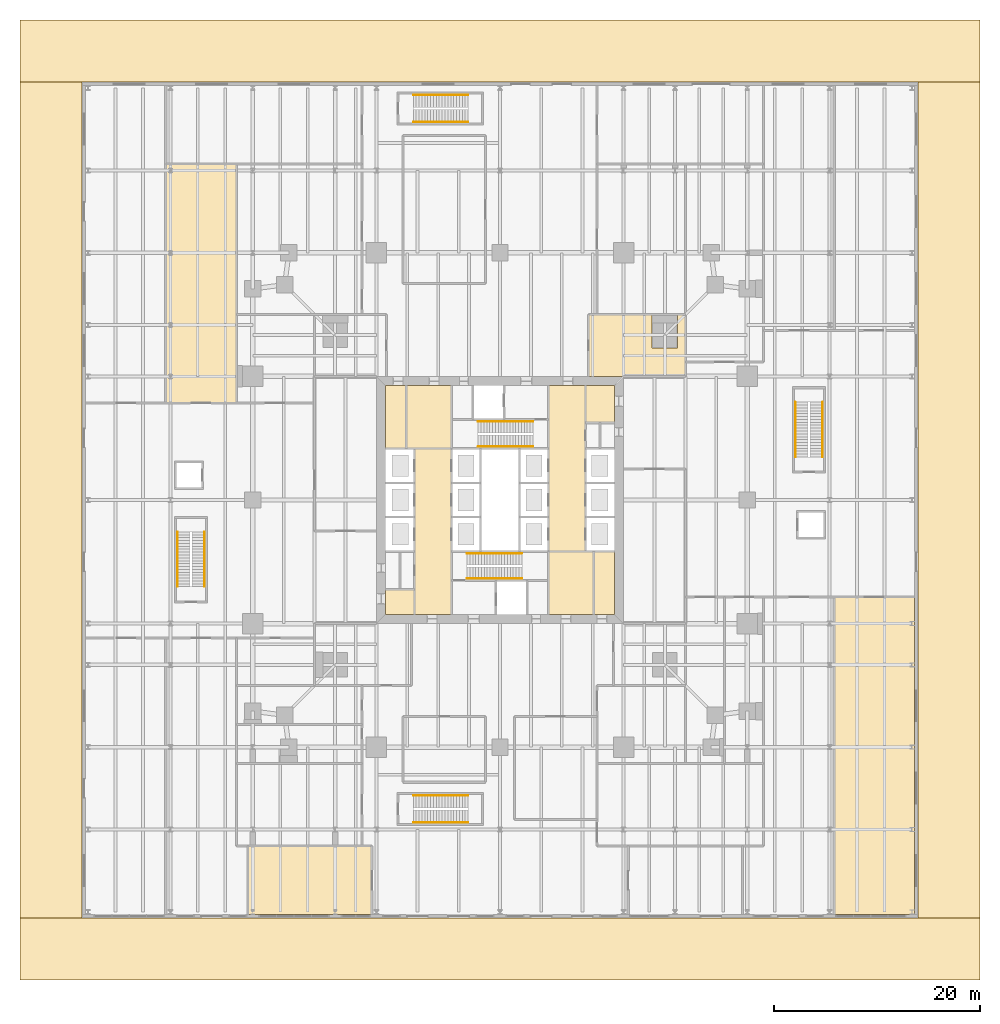
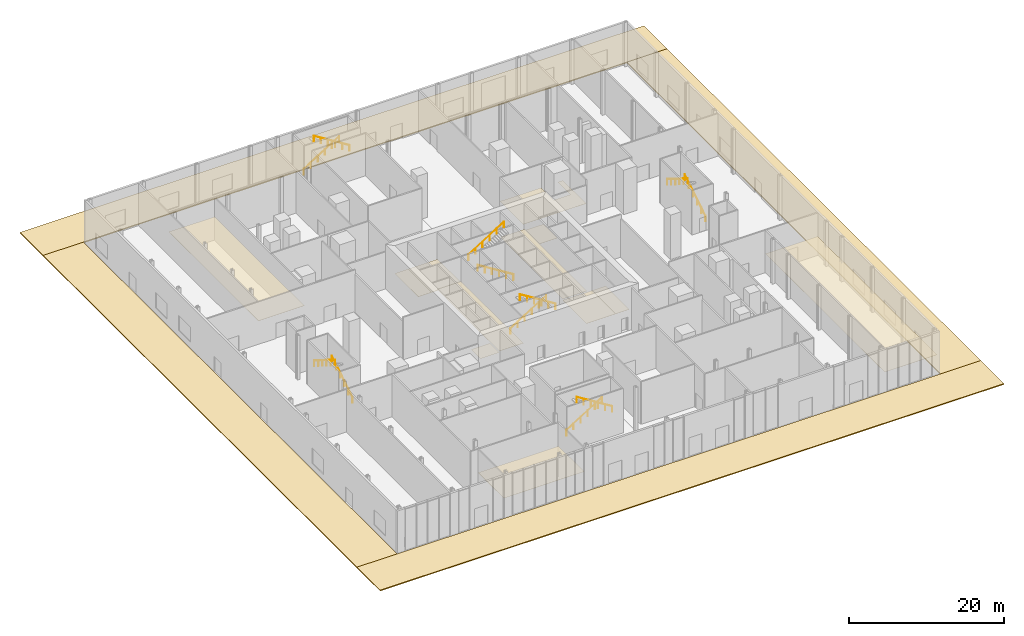
# One storey, part 19 of 20: 16 coverings, 12 railings.
"""IFC4 building model written with IfcOpenShell, lengths in metres."""

from ifc_helpers import new_model, si_unit, direction, frame, origin, origin_2d, place, context, subcontext, project, spatial, polyline, circle, outline, extrude, material, layer, layer_set, type_object, element, save


model = new_model("IFC4")

# Units and contexts
model_context = context("Model", 3, precision=1e-05, world=origin(), true_north=direction((0.0, 1.0)))
body_context = subcontext(model_context, "Body", "Model", "MODEL_VIEW")
ifc_project = project(units=[si_unit("LENGTHUNIT", "METRE"), si_unit("AREAUNIT", "SQUARE_METRE"), si_unit("VOLUMEUNIT", "CUBIC_METRE"), si_unit("PLANEANGLEUNIT", "RADIAN"), si_unit("MASSUNIT", "GRAM", prefix="KILO")], contexts=[model_context])

# Site, building, storey
site_placement = place(None, origin())
site = spatial("IfcSite", under=ifc_project, at=site_placement, CompositionType="ELEMENT")
building_placement = place(site_placement, origin())
building = spatial("IfcBuilding", under=site, at=building_placement, Name="Fenwick Lantern Interchange", CompositionType="ELEMENT")
storey_placement = place(building_placement, origin())
storey = spatial("IfcBuildingStorey", under=building, at=storey_placement, Name="L00", CompositionType="ELEMENT", Elevation=0.0)

# Coverings
ifc_material_1 = material(Name="Mineral fibre acoustic tile on suspended grid")
ifc_layer_1 = layer(ifc_material_1, 0.02001953125)
ifc_layer_set_1 = layer_set([ifc_layer_1], Name="ACOUSTIC TILE CEILING 20")
covering_type_1 = type_object("IfcCoveringType", Name="ACOUSTIC TILE CEILING 20", PredefinedType="CEILING", material=ifc_layer_set_1)
covering_1_placement = place(storey_placement, frame((0.0, 0.0, 2.89990234375)))
element("IfcCovering", 1, at=covering_1_placement, inside=storey, type_object=covering_type_1, Name="Fire command centre ceiling", PredefinedType="CEILING", context=body_context, shape_type="SweptSolid", body=[
    extrude(outline(polyline([(0.550048828125, -8.60009765625), (0.550048828125, -15.25), (12.550048828125, -15.25), (12.550048828125, -8.60009765625), (0.550048828125, -8.60009765625)])), origin(), (0.0, 0.0, 1.0), 0.02001953125),
])
covering_2_placement = place(storey_placement, frame((0.0, 0.0, 2.89990234375)))
element("IfcCovering", 2, at=covering_2_placement, inside=storey, type_object=covering_type_1, Name="Transit police office ceiling", PredefinedType="CEILING", context=body_context, shape_type="SweptSolid", body=[
    extrude(outline(polyline([(57.449951171875, -15.25), (65.25, -15.25), (65.25, 15.60009765625), (57.449951171875, 15.60009765625), (57.449951171875, -15.25)])), origin(), (0.0, 0.0, 1.0), 0.02001953125),
])
covering_3_placement = place(storey_placement, frame((0.0, 0.0, 3.60009765625)))
element("IfcCovering", 3, at=covering_3_placement, inside=storey, type_object=covering_type_1, Name="Retail unit 00-1 ceiling", PredefinedType="CEILING", context=body_context, shape_type="SweptSolid", body=[
    extrude(outline(polyline([(-7.449951171875, 34.39990234375), (-0.60009765625, 34.39990234375), (-0.60009765625, 57.60009765625), (-7.449951171875, 57.60009765625), (-7.449951171875, 34.39990234375)])), origin(), (0.0, 0.0, 1.0), 0.02001953125),
])
covering_4_placement = place(storey_placement, frame((0.0, 0.0, 2.89990234375)))
element("IfcCovering", 4, at=covering_4_placement, inside=storey, type_object=covering_type_1, Name="Staff room ceiling", PredefinedType="CEILING", context=body_context, shape_type="SweptSolid", body=[
    extrude(outline(polyline([(33.60009765625, 43.0), (33.60009765625, 37.0), (43.0, 37.0), (43.0, 43.0), (42.25, 43.0), (42.25, 39.75), (39.75, 39.75), (39.75, 43.0), (33.60009765625, 43.0)])), origin(), (0.0, 0.0, 1.0), 0.02001953125),
])

# Railings
ifc_material_2 = material(Name="Stainless steel handrail", Category="steel")
railing_type = type_object("IfcRailingType", Name="HANDRAIL 900", PredefinedType="HANDRAIL", material=ifc_material_2)
railing_1_placement = place(storey_placement, frame((21.800048828125, 19.825927734375, 0.175048828125)))
element("IfcRailing", 5, at=railing_1_placement, inside=storey, type_object=railing_type, Name="L00/STAIR/ST1/HR1", PredefinedType="HANDRAIL", context=body_context, shape_type="SweptSolid", body=[
    extrude(circle(Radius=0.02392578125, at=origin_2d()), frame((0.0, 0.0, 0.8759765625), z_axis=(0.848004862711, 0.0, 0.52998844593), x_axis=(0.0, 1.0, 0.0)), (0.0, 0.0, 1.0), 6.273681640625),
    extrude(circle(Radius=0.02099609375, at=origin_2d()), origin(), (0.0, 0.0, 1.0), 0.851806640625),
    extrude(circle(Radius=0.02099609375, at=origin_2d()), frame((1.06396484375, 0.0, 0.6650390625)), (0.0, 0.0, 1.0), 0.851806640625),
    extrude(circle(Radius=0.02099609375, at=origin_2d()), frame((2.1279296875, 0.0, 1.330078125)), (0.0, 0.0, 1.0), 0.851806640625),
    extrude(circle(Radius=0.02099609375, at=origin_2d()), frame((3.192138671875, 0.0, 1.994873046875)), (0.0, 0.0, 1.0), 0.851806640625),
    extrude(circle(Radius=0.02099609375, at=origin_2d()), frame((4.256103515625, 0.0, 2.659912109375)), (0.0, 0.0, 1.0), 0.851806640625),
    extrude(circle(Radius=0.02099609375, at=origin_2d()), frame((5.320068359375, 0.0, 3.324951171875)), (0.0, 0.0, 1.0), 0.851806640625),
])
for number, where, name in (
    (6, (27.1201171875, 17.3740234375, 3.675048828125), "L00/STAIR/ST1/HR2"),
    (7, (28.199951171875, 30.174072265625, 0.175048828125), "L00/STAIR/ST2/HR1"),
):
    element("IfcRailing", number, at=place(storey_placement, frame(where)), inside=storey, type_object=railing_type, Name=name, PredefinedType="HANDRAIL", context=body_context, shape_type="SweptSolid", body=[
        extrude(circle(Radius=0.02392578125, at=origin_2d()), frame((0.0, 0.0, 0.8759765625), z_axis=(-0.848004862711, 0.0, 0.52998844593), x_axis=(0.0, -1.0, 0.0)), (0.0, 0.0, 1.0), 6.273681640625),
        extrude(circle(Radius=0.02099609375, at=origin_2d()), origin(), (0.0, 0.0, 1.0), 0.851806640625),
        extrude(circle(Radius=0.02099609375, at=origin_2d()), frame((-1.06396484375, 0.0, 0.6650390625)), (0.0, 0.0, 1.0), 0.851806640625),
        extrude(circle(Radius=0.02099609375, at=origin_2d()), frame((-2.1279296875, 0.0, 1.330078125)), (0.0, 0.0, 1.0), 0.851806640625),
        extrude(circle(Radius=0.02099609375, at=origin_2d()), frame((-3.192138671875, 0.0, 1.994873046875)), (0.0, 0.0, 1.0), 0.851806640625),
        extrude(circle(Radius=0.02099609375, at=origin_2d()), frame((-4.256103515625, 0.0, 2.659912109375)), (0.0, 0.0, 1.0), 0.851806640625),
        extrude(circle(Radius=0.02099609375, at=origin_2d()), frame((-5.320068359375, 0.0, 3.324951171875)), (0.0, 0.0, 1.0), 0.851806640625),
    ])
railing_2_placement = place(storey_placement, frame((22.8798828125, 32.6259765625, 3.675048828125)))
element("IfcRailing", 8, at=railing_2_placement, inside=storey, type_object=railing_type, Name="L00/STAIR/ST2/HR2", PredefinedType="HANDRAIL", context=body_context, shape_type="SweptSolid", body=[
    extrude(circle(Radius=0.02392578125, at=origin_2d()), frame((0.0, 0.0, 0.8759765625), z_axis=(0.848004862711, 0.0, 0.52998844593), x_axis=(0.0, 1.0, 0.0)), (0.0, 0.0, 1.0), 6.273681640625),
    extrude(circle(Radius=0.02099609375, at=origin_2d()), origin(), (0.0, 0.0, 1.0), 0.851806640625),
    extrude(circle(Radius=0.02099609375, at=origin_2d()), frame((1.06396484375, 0.0, 0.6650390625)), (0.0, 0.0, 1.0), 0.851806640625),
    extrude(circle(Radius=0.02099609375, at=origin_2d()), frame((2.1279296875, 0.0, 1.330078125)), (0.0, 0.0, 1.0), 0.851806640625),
    extrude(circle(Radius=0.02099609375, at=origin_2d()), frame((3.192138671875, 0.0, 1.994873046875)), (0.0, 0.0, 1.0), 0.851806640625),
    extrude(circle(Radius=0.02099609375, at=origin_2d()), frame((4.256103515625, 0.0, 2.659912109375)), (0.0, 0.0, 1.0), 0.851806640625),
    extrude(circle(Radius=0.02099609375, at=origin_2d()), frame((5.320068359375, 0.0, 3.324951171875)), (0.0, 0.0, 1.0), 0.851806640625),
])
railing_3_placement = place(storey_placement, frame((16.580078125, 64.325927734375, 0.175048828125)))
element("IfcRailing", 9, at=railing_3_placement, inside=storey, type_object=railing_type, Name="L00/STAIR/PS1/HR1", PredefinedType="HANDRAIL", context=body_context, shape_type="SweptSolid", body=[
    extrude(circle(Radius=0.02392578125, at=origin_2d()), frame((0.0, 0.0, 0.8759765625), z_axis=(0.847993931318, 0.0, 0.530005936238), x_axis=(0.0, 1.0, 0.0)), (0.0, 0.0, 1.0), 6.2734375),
    extrude(circle(Radius=0.02099609375, at=origin_2d()), origin(), (0.0, 0.0, 1.0), 0.851806640625),
    extrude(circle(Radius=0.02099609375, at=origin_2d()), frame((1.06396484375, 0.0, 0.6650390625)), (0.0, 0.0, 1.0), 0.851806640625),
    extrude(circle(Radius=0.02099609375, at=origin_2d()), frame((2.1279296875, 0.0, 1.330078125)), (0.0, 0.0, 1.0), 0.851806640625),
    extrude(circle(Radius=0.02099609375, at=origin_2d()), frame((3.19189453125, 0.0, 1.994873046875)), (0.0, 0.0, 1.0), 0.851806640625),
    extrude(circle(Radius=0.02099609375, at=origin_2d()), frame((4.255859375, 0.0, 2.659912109375)), (0.0, 0.0, 1.0), 0.851806640625),
    extrude(circle(Radius=0.02099609375, at=origin_2d()), frame((5.31982421875, 0.0, 3.324951171875)), (0.0, 0.0, 1.0), 0.851806640625),
])
railing_4_placement = place(storey_placement, frame((21.89990234375, 61.674072265625, 3.675048828125)))
element("IfcRailing", 10, at=railing_4_placement, inside=storey, type_object=railing_type, Name="L00/STAIR/PS1/HR2", PredefinedType="HANDRAIL", context=body_context, shape_type="SweptSolid", body=[
    extrude(circle(Radius=0.02392578125, at=origin_2d()), frame((0.0, 0.0, 0.8759765625), z_axis=(-0.847993931318, 0.0, 0.530005936238), x_axis=(0.0, -1.0, 0.0)), (0.0, 0.0, 1.0), 6.2734375),
    extrude(circle(Radius=0.02099609375, at=origin_2d()), origin(), (0.0, 0.0, 1.0), 0.851806640625),
    extrude(circle(Radius=0.02099609375, at=origin_2d()), frame((-1.06396484375, 0.0, 0.6650390625)), (0.0, 0.0, 1.0), 0.851806640625),
    extrude(circle(Radius=0.02099609375, at=origin_2d()), frame((-2.1279296875, 0.0, 1.330078125)), (0.0, 0.0, 1.0), 0.851806640625),
    extrude(circle(Radius=0.02099609375, at=origin_2d()), frame((-3.19189453125, 0.0, 1.994873046875)), (0.0, 0.0, 1.0), 0.851806640625),
    extrude(circle(Radius=0.02099609375, at=origin_2d()), frame((-4.255859375, 0.0, 2.659912109375)), (0.0, 0.0, 1.0), 0.851806640625),
    extrude(circle(Radius=0.02099609375, at=origin_2d()), frame((-5.31982421875, 0.0, 3.324951171875)), (0.0, 0.0, 1.0), 0.851806640625),
])
railing_5_placement = place(storey_placement, frame((16.580078125, -3.674072265625, 0.175048828125)))
element("IfcRailing", 11, at=railing_5_placement, inside=storey, type_object=railing_type, Name="L00/STAIR/PS2/HR1", PredefinedType="HANDRAIL", context=body_context, shape_type="SweptSolid", body=[
    extrude(circle(Radius=0.02392578125, at=origin_2d()), frame((0.0, 0.0, 0.8759765625), z_axis=(0.847993931318, 0.0, 0.530005936238), x_axis=(0.0, 1.0, 0.0)), (0.0, 0.0, 1.0), 6.2734375),
    extrude(circle(Radius=0.02099609375, at=origin_2d()), origin(), (0.0, 0.0, 1.0), 0.851806640625),
    extrude(circle(Radius=0.02099609375, at=origin_2d()), frame((1.06396484375, 0.0, 0.6650390625)), (0.0, 0.0, 1.0), 0.851806640625),
    extrude(circle(Radius=0.02099609375, at=origin_2d()), frame((2.1279296875, 0.0, 1.330078125)), (0.0, 0.0, 1.0), 0.851806640625),
    extrude(circle(Radius=0.02099609375, at=origin_2d()), frame((3.19189453125, 0.0, 1.994873046875)), (0.0, 0.0, 1.0), 0.851806640625),
    extrude(circle(Radius=0.02099609375, at=origin_2d()), frame((4.255859375, 0.0, 2.659912109375)), (0.0, 0.0, 1.0), 0.851806640625),
    extrude(circle(Radius=0.02099609375, at=origin_2d()), frame((5.31982421875, 0.0, 3.324951171875)), (0.0, 0.0, 1.0), 0.851806640625),
])
railing_6_placement = place(storey_placement, frame((21.89990234375, -6.325927734375, 3.675048828125)))
element("IfcRailing", 12, at=railing_6_placement, inside=storey, type_object=railing_type, Name="L00/STAIR/PS2/HR2", PredefinedType="HANDRAIL", context=body_context, shape_type="SweptSolid", body=[
    extrude(circle(Radius=0.02392578125, at=origin_2d()), frame((0.0, 0.0, 0.8759765625), z_axis=(-0.847993931318, 0.0, 0.530005936238), x_axis=(0.0, -1.0, 0.0)), (0.0, 0.0, 1.0), 6.2734375),
    extrude(circle(Radius=0.02099609375, at=origin_2d()), origin(), (0.0, 0.0, 1.0), 0.851806640625),
    extrude(circle(Radius=0.02099609375, at=origin_2d()), frame((-1.06396484375, 0.0, 0.6650390625)), (0.0, 0.0, 1.0), 0.851806640625),
    extrude(circle(Radius=0.02099609375, at=origin_2d()), frame((-2.1279296875, 0.0, 1.330078125)), (0.0, 0.0, 1.0), 0.851806640625),
    extrude(circle(Radius=0.02099609375, at=origin_2d()), frame((-3.19189453125, 0.0, 1.994873046875)), (0.0, 0.0, 1.0), 0.851806640625),
    extrude(circle(Radius=0.02099609375, at=origin_2d()), frame((-4.255859375, 0.0, 2.659912109375)), (0.0, 0.0, 1.0), 0.851806640625),
    extrude(circle(Radius=0.02099609375, at=origin_2d()), frame((-5.31982421875, 0.0, 3.324951171875)), (0.0, 0.0, 1.0), 0.851806640625),
])
railing_7_placement = place(storey_placement, frame((-3.674072265625, 16.580078125, 0.175048828125)))
element("IfcRailing", 13, at=railing_7_placement, inside=storey, type_object=railing_type, Name="L00/STAIR/PS3/HR1", PredefinedType="HANDRAIL", context=body_context, shape_type="SweptSolid", body=[
    extrude(circle(Radius=0.02392578125, at=origin_2d()), frame((0.0, 0.0, 0.8759765625), z_axis=(0.0, 0.847993931318, 0.530005936238), x_axis=(-1.0, 0.0, 0.0)), (0.0, 0.0, 1.0), 6.2734375),
    extrude(circle(Radius=0.02099609375, at=origin_2d()), origin(), (0.0, 0.0, 1.0), 0.851806640625),
    extrude(circle(Radius=0.02099609375, at=origin_2d()), frame((0.0, 1.06396484375, 0.6650390625)), (0.0, 0.0, 1.0), 0.851806640625),
    extrude(circle(Radius=0.02099609375, at=origin_2d()), frame((0.0, 2.1279296875, 1.330078125)), (0.0, 0.0, 1.0), 0.851806640625),
    extrude(circle(Radius=0.02099609375, at=origin_2d()), frame((0.0, 3.19189453125, 1.994873046875)), (0.0, 0.0, 1.0), 0.851806640625),
    extrude(circle(Radius=0.02099609375, at=origin_2d()), frame((0.0, 4.255859375, 2.659912109375)), (0.0, 0.0, 1.0), 0.851806640625),
    extrude(circle(Radius=0.02099609375, at=origin_2d()), frame((0.0, 5.31982421875, 3.324951171875)), (0.0, 0.0, 1.0), 0.851806640625),
])
railing_8_placement = place(storey_placement, frame((-6.325927734375, 21.89990234375, 3.675048828125)))
element("IfcRailing", 14, at=railing_8_placement, inside=storey, type_object=railing_type, Name="L00/STAIR/PS3/HR2", PredefinedType="HANDRAIL", context=body_context, shape_type="SweptSolid", body=[
    extrude(circle(Radius=0.02392578125, at=origin_2d()), frame((0.0, 0.0, 0.8759765625), z_axis=(0.0, -0.847993931318, 0.530005936238), x_axis=(1.0, 0.0, 0.0)), (0.0, 0.0, 1.0), 6.2734375),
    extrude(circle(Radius=0.02099609375, at=origin_2d()), origin(), (0.0, 0.0, 1.0), 0.851806640625),
    extrude(circle(Radius=0.02099609375, at=origin_2d()), frame((0.0, -1.06396484375, 0.6650390625)), (0.0, 0.0, 1.0), 0.851806640625),
    extrude(circle(Radius=0.02099609375, at=origin_2d()), frame((0.0, -2.1279296875, 1.330078125)), (0.0, 0.0, 1.0), 0.851806640625),
    extrude(circle(Radius=0.02099609375, at=origin_2d()), frame((0.0, -3.19189453125, 1.994873046875)), (0.0, 0.0, 1.0), 0.851806640625),
    extrude(circle(Radius=0.02099609375, at=origin_2d()), frame((0.0, -4.255859375, 2.659912109375)), (0.0, 0.0, 1.0), 0.851806640625),
    extrude(circle(Radius=0.02099609375, at=origin_2d()), frame((0.0, -5.31982421875, 3.324951171875)), (0.0, 0.0, 1.0), 0.851806640625),
])
railing_9_placement = place(storey_placement, frame((56.325927734375, 29.179931640625, 0.175048828125)))
element("IfcRailing", 15, at=railing_9_placement, inside=storey, type_object=railing_type, Name="L00/STAIR/PS4/HR1", PredefinedType="HANDRAIL", context=body_context, shape_type="SweptSolid", body=[
    extrude(circle(Radius=0.02392578125, at=origin_2d()), frame((0.0, 0.0, 0.8759765625), z_axis=(0.0, 0.848004862711, 0.52998844593), x_axis=(-1.0, 0.0, 0.0)), (0.0, 0.0, 1.0), 6.273681640625),
    extrude(circle(Radius=0.02099609375, at=origin_2d()), origin(), (0.0, 0.0, 1.0), 0.851806640625),
    extrude(circle(Radius=0.02099609375, at=origin_2d()), frame((0.0, 1.06396484375, 0.6650390625)), (0.0, 0.0, 1.0), 0.851806640625),
    extrude(circle(Radius=0.02099609375, at=origin_2d()), frame((0.0, 2.1279296875, 1.330078125)), (0.0, 0.0, 1.0), 0.851806640625),
    extrude(circle(Radius=0.02099609375, at=origin_2d()), frame((0.0, 3.192138671875, 1.994873046875)), (0.0, 0.0, 1.0), 0.851806640625),
    extrude(circle(Radius=0.02099609375, at=origin_2d()), frame((0.0, 4.256103515625, 2.659912109375)), (0.0, 0.0, 1.0), 0.851806640625),
    extrude(circle(Radius=0.02099609375, at=origin_2d()), frame((0.0, 5.320068359375, 3.324951171875)), (0.0, 0.0, 1.0), 0.851806640625),
])
railing_10_placement = place(storey_placement, frame((53.674072265625, 34.5, 3.675048828125)))
element("IfcRailing", 16, at=railing_10_placement, inside=storey, type_object=railing_type, Name="L00/STAIR/PS4/HR2", PredefinedType="HANDRAIL", context=body_context, shape_type="SweptSolid", body=[
    extrude(circle(Radius=0.02392578125, at=origin_2d()), frame((0.0, 0.0, 0.8759765625), z_axis=(0.0, -0.848004862711, 0.52998844593), x_axis=(1.0, 0.0, 0.0)), (0.0, 0.0, 1.0), 6.273681640625),
    extrude(circle(Radius=0.02099609375, at=origin_2d()), origin(), (0.0, 0.0, 1.0), 0.851806640625),
    extrude(circle(Radius=0.02099609375, at=origin_2d()), frame((0.0, -1.06396484375, 0.6650390625)), (0.0, 0.0, 1.0), 0.851806640625),
    extrude(circle(Radius=0.02099609375, at=origin_2d()), frame((0.0, -2.1279296875, 1.330078125)), (0.0, 0.0, 1.0), 0.851806640625),
    extrude(circle(Radius=0.02099609375, at=origin_2d()), frame((0.0, -3.192138671875, 1.994873046875)), (0.0, 0.0, 1.0), 0.851806640625),
    extrude(circle(Radius=0.02099609375, at=origin_2d()), frame((0.0, -4.256103515625, 2.659912109375)), (0.0, 0.0, 1.0), 0.851806640625),
    extrude(circle(Radius=0.02099609375, at=origin_2d()), frame((0.0, -5.320068359375, 3.324951171875)), (0.0, 0.0, 1.0), 0.851806640625),
])

# Coverings
ifc_material_3 = material(Name="Moisture resistant gypsum board on suspended frame, painted")
ifc_layer_2 = layer(ifc_material_3, 0.014892578125)
ifc_layer_set_2 = layer_set([ifc_layer_2], Name="MOISTURE RESISTANT CEILING 15")
covering_type_2 = type_object("IfcCoveringType", Name="MOISTURE RESISTANT CEILING 15", PredefinedType="CEILING", material=ifc_layer_set_2)
covering_5_placement = place(storey_placement, frame((0.0, 0.0, 2.60009765625)))
element("IfcCovering", 17, at=covering_5_placement, inside=storey, type_object=covering_type_2, Name="Women's WC ceiling", PredefinedType="CEILING", context=body_context, shape_type="SweptSolid", body=[
    extrude(outline(polyline([(29.699951171875, 13.89990234375), (34.10009765625, 13.89990234375), (34.10009765625, 20.0), (29.699951171875, 20.0), (29.699951171875, 13.89990234375)])), origin(), (0.0, 0.0, 1.0), 0.014892578125),
])
covering_6_placement = place(storey_placement, frame((0.0, 0.0, 2.60009765625)))
element("IfcCovering", 18, at=covering_6_placement, inside=storey, type_object=covering_type_2, Name="Men's WC ceiling", PredefinedType="CEILING", context=body_context, shape_type="SweptSolid", body=[
    extrude(outline(polyline([(34.10009765625, 13.89990234375), (36.10009765625, 13.89990234375), (36.10009765625, 20.0), (34.10009765625, 20.0), (34.10009765625, 13.89990234375)])), origin(), (0.0, 0.0, 1.0), 0.014892578125),
])
covering_7_placement = place(storey_placement, frame((0.0, 0.0, 2.60009765625)))
element("IfcCovering", 19, at=covering_7_placement, inside=storey, type_object=covering_type_2, Name="Accessible WC ceiling", PredefinedType="CEILING", context=body_context, shape_type="SweptSolid", body=[
    extrude(outline(polyline([(13.89990234375, 13.89990234375), (16.699951171875, 13.89990234375), (16.699951171875, 16.300048828125), (13.89990234375, 16.300048828125), (13.89990234375, 13.89990234375)])), origin(), (0.0, 0.0, 1.0), 0.014892578125),
])
covering_8_placement = place(storey_placement, frame((0.0, 0.0, 2.60009765625)))
element("IfcCovering", 20, at=covering_8_placement, inside=storey, type_object=covering_type_2, Name="Women's WC ceiling", PredefinedType="CEILING", context=body_context, shape_type="SweptSolid", body=[
    extrude(outline(polyline([(20.300048828125, 36.10009765625), (15.89990234375, 36.10009765625), (15.89990234375, 30.0), (20.300048828125, 30.0), (20.300048828125, 36.10009765625)])), origin(), (0.0, 0.0, 1.0), 0.014892578125),
])
covering_9_placement = place(storey_placement, frame((0.0, 0.0, 2.60009765625)))
element("IfcCovering", 21, at=covering_9_placement, inside=storey, type_object=covering_type_2, Name="Men's WC ceiling", PredefinedType="CEILING", context=body_context, shape_type="SweptSolid", body=[
    extrude(outline(polyline([(15.89990234375, 36.10009765625), (13.89990234375, 36.10009765625), (13.89990234375, 30.0), (15.89990234375, 30.0), (15.89990234375, 36.10009765625)])), origin(), (0.0, 0.0, 1.0), 0.014892578125),
])
covering_10_placement = place(storey_placement, frame((0.0, 0.0, 2.60009765625)))
element("IfcCovering", 22, at=covering_10_placement, inside=storey, type_object=covering_type_2, Name="Accessible WC and shower ceiling", PredefinedType="CEILING", context=body_context, shape_type="SweptSolid", body=[
    extrude(outline(polyline([(36.10009765625, 36.10009765625), (33.300048828125, 36.10009765625), (33.300048828125, 32.5), (36.10009765625, 32.5), (36.10009765625, 36.10009765625)])), origin(), (0.0, 0.0, 1.0), 0.014892578125),
])
ifc_material_4 = material(Name="Gypsum plasterboard on suspended frame, painted")
ifc_layer_3 = layer(ifc_material_4, 0.014892578125)
ifc_layer_set_3 = layer_set([ifc_layer_3], Name="PLASTERBOARD CEILING 15")
covering_type_3 = type_object("IfcCoveringType", Name="PLASTERBOARD CEILING 15", PredefinedType="CEILING", material=ifc_layer_set_3)
covering_11_placement = place(storey_placement, frame((0.0, 0.0, 2.800048828125)))
element("IfcCovering", 23, at=covering_11_placement, inside=storey, type_object=covering_type_3, Name="Lift lobby ceiling", PredefinedType="CEILING", context=body_context, shape_type="SweptSolid", body=[
    extrude(outline(polyline([(16.699951171875, 13.89990234375), (20.300048828125, 13.89990234375), (20.300048828125, 30.0), (16.699951171875, 30.0), (16.699951171875, 13.89990234375)])), origin(), (0.0, 0.0, 1.0), 0.014892578125),
])
covering_12_placement = place(storey_placement, frame((0.0, 0.0, 2.800048828125)))
element("IfcCovering", 24, at=covering_12_placement, inside=storey, type_object=covering_type_3, Name="Lift lobby ceiling", PredefinedType="CEILING", context=body_context, shape_type="SweptSolid", body=[
    extrude(outline(polyline([(33.300048828125, 36.10009765625), (29.699951171875, 36.10009765625), (29.699951171875, 20.0), (33.300048828125, 20.0), (33.300048828125, 36.10009765625)])), origin(), (0.0, 0.0, 1.0), 0.014892578125),
])
ifc_material_5 = material(Name="Granite setts on concrete base", Category="masonry")
ifc_layer_4 = layer(ifc_material_5, 0.14990234375)
ifc_layer_set_4 = layer_set([ifc_layer_4], Name="STREET PAVING 150")
covering_type_4 = type_object("IfcCoveringType", Name="STREET PAVING 150", PredefinedType="USERDEFINED", material=ifc_layer_set_4)
covering_13_placement = place(storey_placement, frame((0.0, 0.0, -0.14990234375)))
element("IfcCovering", 25, at=covering_13_placement, inside=storey, type_object=covering_type_4, Name="Street paving S", ObjectType="PAVING", PredefinedType="USERDEFINED", context=body_context, shape_type="SweptSolid", body=[
    extrude(outline(polyline([(-21.60009765625, -21.60009765625), (71.60009765625, -21.60009765625), (71.60009765625, -15.60009765625), (-21.60009765625, -15.60009765625), (-21.60009765625, -21.60009765625)])), origin(), (0.0, 0.0, 1.0), 0.14990234375),
])
covering_14_placement = place(storey_placement, frame((0.0, 0.0, -0.14990234375)))
element("IfcCovering", 26, at=covering_14_placement, inside=storey, type_object=covering_type_4, Name="Street paving N", ObjectType="PAVING", PredefinedType="USERDEFINED", context=body_context, shape_type="SweptSolid", body=[
    extrude(outline(polyline([(-21.60009765625, 65.60009765625), (71.60009765625, 65.60009765625), (71.60009765625, 71.60009765625), (-21.60009765625, 71.60009765625), (-21.60009765625, 65.60009765625)])), origin(), (0.0, 0.0, 1.0), 0.14990234375),
])
covering_15_placement = place(storey_placement, frame((0.0, 0.0, -0.14990234375)))
element("IfcCovering", 27, at=covering_15_placement, inside=storey, type_object=covering_type_4, Name="Street paving W", ObjectType="PAVING", PredefinedType="USERDEFINED", context=body_context, shape_type="SweptSolid", body=[
    extrude(outline(polyline([(-21.60009765625, -15.60009765625), (-15.60009765625, -15.60009765625), (-15.60009765625, 65.60009765625), (-21.60009765625, 65.60009765625), (-21.60009765625, -15.60009765625)])), origin(), (0.0, 0.0, 1.0), 0.14990234375),
])
covering_16_placement = place(storey_placement, frame((0.0, 0.0, -0.14990234375)))
element("IfcCovering", 28, at=covering_16_placement, inside=storey, type_object=covering_type_4, Name="Street paving E", ObjectType="PAVING", PredefinedType="USERDEFINED", context=body_context, shape_type="SweptSolid", body=[
    extrude(outline(polyline([(65.60009765625, -15.60009765625), (71.60009765625, -15.60009765625), (71.60009765625, 65.60009765625), (65.60009765625, 65.60009765625), (65.60009765625, -15.60009765625)])), origin(), (0.0, 0.0, 1.0), 0.14990234375),
])

save(model, "model.ifc")
